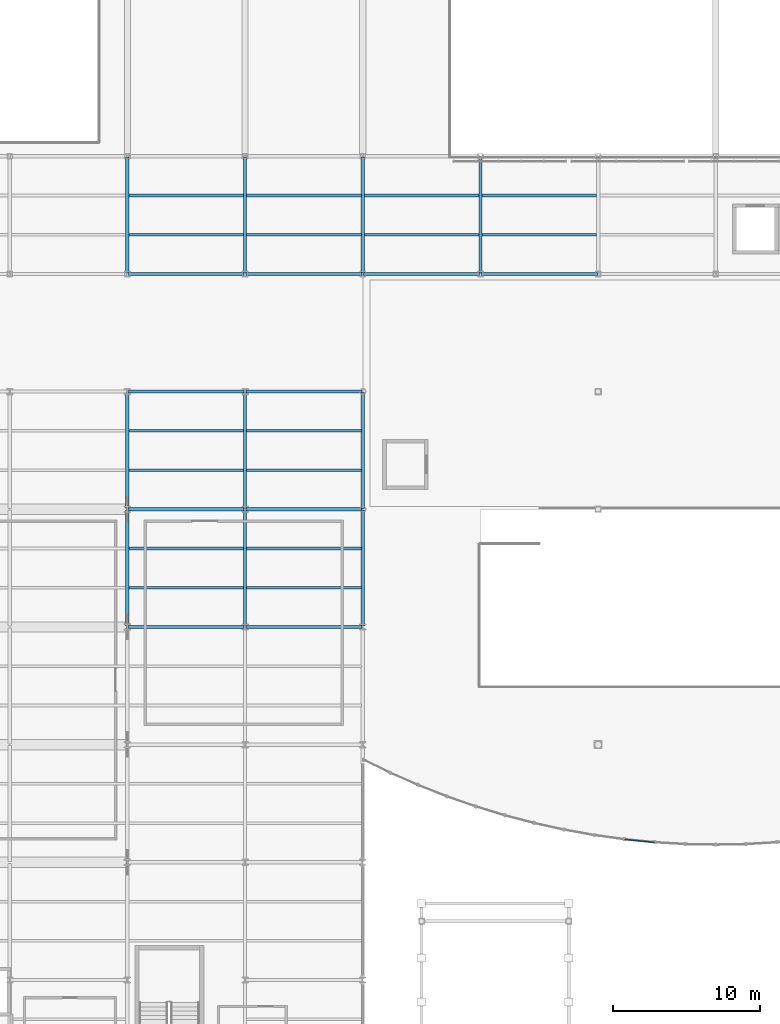
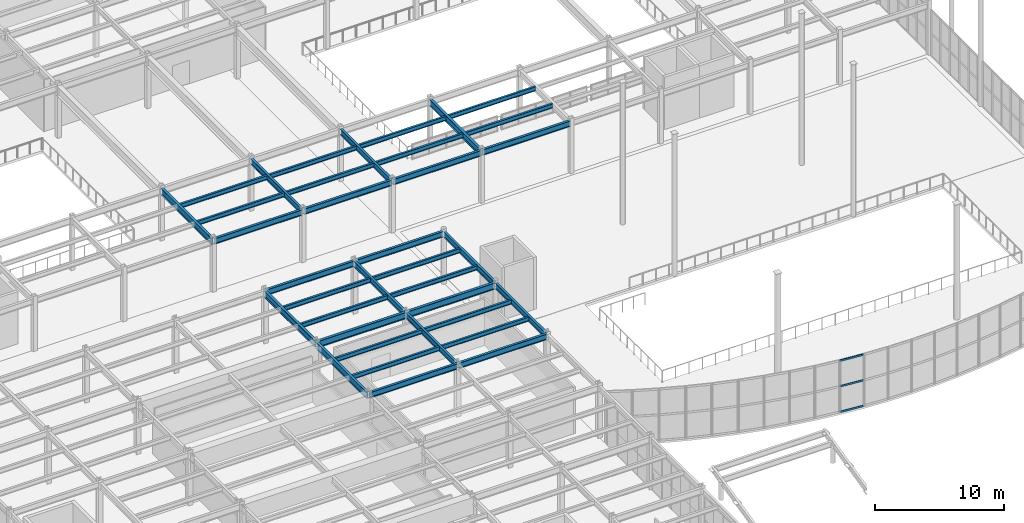
# One storey, part 26 of 77: 36 beams, 3 members, 1 element without a shape of its own.
"""IFC4 building model written with IfcOpenShell, lengths in metres."""

from ifc_helpers import new_model, si_unit, direction, frame, origin, origin_2d, place, context, subcontext, project, spatial, rectangle, i_section, extrude, material, material_profile, profile_set, type_object, element, aggregate, save


model = new_model("IFC4")

# Units and contexts
model_context = context("Model", 3, precision=1e-05, world=origin(), true_north=direction((0.0, 1.0)))
body_context = subcontext(model_context, "Body", "Model", "MODEL_VIEW")
ifc_project = project(units=[si_unit("LENGTHUNIT", "METRE"), si_unit("AREAUNIT", "SQUARE_METRE"), si_unit("VOLUMEUNIT", "CUBIC_METRE"), si_unit("PLANEANGLEUNIT", "RADIAN"), si_unit("MASSUNIT", "GRAM", prefix="KILO")], contexts=[model_context])

# Site, building, storey
site_placement = place(None, origin())
site = spatial("IfcSite", under=ifc_project, at=site_placement, CompositionType="ELEMENT")
building_placement = place(site_placement, origin())
building = spatial("IfcBuilding", under=site, at=building_placement, Name="Drelvath Fold Interchange", CompositionType="ELEMENT")
storey_placement = place(building_placement, frame((0.0, 0.0, 6.0)))
storey = spatial("IfcBuildingStorey", under=building, at=storey_placement, Name="L01", CompositionType="ELEMENT", Elevation=6.0)

# Beams
ifc_material_1 = material(Name="Steel ASTM A992 Grade 50", Category="steel")
ifc_material_profile_1 = material_profile(ifc_material_1, i_section(OverallWidth=0.177978515625, OverallDepth=0.403076171875, WebThickness=0.007568359375, FlangeThickness=0.010986328125, at=origin_2d()), Name="W16X36")
ifc_profile_set_1 = profile_set([ifc_material_profile_1], Name="Steel ASTM A992 Grade 50")
beam_type_1 = type_object("IfcBeamType", Name="BM-W16X36", PredefinedType="JOIST", material=ifc_profile_set_1)
for number, where, z_axis, x_axis, name in (
    (1, (36.113037109375, 37.6669921875, 4.748046875), (1.0, 0.0, 0.0), (0.0, 1.0, 0.0), "L01 Secondary floor joist BM-W16X36"),
    (2, (36.113037109375, 40.3330078125, 4.748046875), (1.0, 0.0, 0.0), (0.0, 1.0, 0.0), "L01 Secondary floor joist BM-W16X36"),
    (3, (36.113037109375, 45.6669921875, 4.748046875), (1.0, 0.0, 0.0), (0.0, 1.0, 0.0), "L01 Secondary floor joist BM-W16X36"),
    (4, (36.113037109375, 48.3330078125, 4.748046875), (1.0, 0.0, 0.0), (0.0, 1.0, 0.0), "L01 Secondary floor joist BM-W16X36"),
    (5, (36.113037109375, 61.6669921875, 4.748046875), (1.0, 0.0, 0.0), (0.0, 1.0, 0.0), "L01 Secondary floor joist BM-W16X36"),
    (6, (36.113037109375, 64.3330078125, 4.748046875), (1.0, 0.0, 0.0), (0.0, 1.0, 0.0), "L01 Secondary floor joist BM-W16X36"),
):
    element("IfcBeam", number, at=place(storey_placement, frame(where, z_axis=z_axis, x_axis=x_axis)), inside=storey, type_object=beam_type_1, Name=name, PredefinedType="JOIST", context=body_context, shape_type="SweptSolid", body=[
        extrude(i_section(OverallWidth=0.177978515625, OverallDepth=0.403076171875, WebThickness=0.007568359375, FlangeThickness=0.010986328125, at=origin_2d()), origin(), (0.0, 0.0, 1.0), 7.783935546875),
    ])
for number, where, z_axis, x_axis, name in (
    (7, (44.10302734375, 37.6669921875, 4.748046875), (1.0, 0.0, 0.0), (0.0, 1.0, 0.0), "L01 Secondary floor joist BM-W16X36"),
    (8, (44.10302734375, 40.3330078125, 4.748046875), (1.0, 0.0, 0.0), (0.0, 1.0, 0.0), "L01 Secondary floor joist BM-W16X36"),
    (9, (44.10302734375, 45.6669921875, 4.748046875), (1.0, 0.0, 0.0), (0.0, 1.0, 0.0), "L01 Secondary floor joist BM-W16X36"),
    (10, (44.10302734375, 48.3330078125, 4.748046875), (1.0, 0.0, 0.0), (0.0, 1.0, 0.0), "L01 Secondary floor joist BM-W16X36"),
    (11, (44.10302734375, 61.6669921875, 4.748046875), (1.0, 0.0, 0.0), (0.0, 1.0, 0.0), "L01 Secondary floor joist BM-W16X36"),
    (12, (44.10302734375, 64.3330078125, 4.748046875), (1.0, 0.0, 0.0), (0.0, 1.0, 0.0), "L01 Secondary floor joist BM-W16X36"),
):
    element("IfcBeam", number, at=place(storey_placement, frame(where, z_axis=z_axis, x_axis=x_axis)), inside=storey, type_object=beam_type_1, Name=name, PredefinedType="JOIST", context=body_context, shape_type="SweptSolid", body=[
        extrude(i_section(OverallWidth=0.177978515625, OverallDepth=0.403076171875, WebThickness=0.007568359375, FlangeThickness=0.010986328125, at=origin_2d()), origin(), (0.0, 0.0, 1.0), 7.7939453125),
    ])
for number, where, z_axis, x_axis, name in (
    (13, (52.10302734375, 61.6669921875, 4.748046875), (1.0, 0.0, 0.0), (0.0, 1.0, 0.0), "L01 Secondary floor joist BM-W16X36"),
    (14, (52.10302734375, 64.3330078125, 4.748046875), (1.0, 0.0, 0.0), (0.0, 1.0, 0.0), "L01 Secondary floor joist BM-W16X36"),
):
    element("IfcBeam", number, at=place(storey_placement, frame(where, z_axis=z_axis, x_axis=x_axis)), inside=storey, type_object=beam_type_1, Name=name, PredefinedType="JOIST", context=body_context, shape_type="SweptSolid", body=[
        extrude(i_section(OverallWidth=0.177978515625, OverallDepth=0.403076171875, WebThickness=0.007568359375, FlangeThickness=0.010986328125, at=origin_2d()), origin(), (0.0, 0.0, 1.0), 7.783935546875),
    ])
for number, where, z_axis, x_axis, name in (
    (15, (60.113037109375, 61.6669921875, 4.748046875), (1.0, 0.0, 0.0), (0.0, 1.0, 0.0), "L01 Secondary floor joist BM-W16X36"),
    (16, (60.113037109375, 64.3330078125, 4.748046875), (1.0, 0.0, 0.0), (0.0, 1.0, 0.0), "L01 Secondary floor joist BM-W16X36"),
):
    element("IfcBeam", number, at=place(storey_placement, frame(where, z_axis=z_axis, x_axis=x_axis)), inside=storey, type_object=beam_type_1, Name=name, PredefinedType="JOIST", context=body_context, shape_type="SweptSolid", body=[
        extrude(i_section(OverallWidth=0.177978515625, OverallDepth=0.403076171875, WebThickness=0.007568359375, FlangeThickness=0.010986328125, at=origin_2d()), origin(), (0.0, 0.0, 1.0), 7.77392578125),
    ])
ifc_material_profile_2 = material_profile(ifc_material_1, i_section(OverallWidth=0.2099609375, OverallDepth=0.537109375, WebThickness=0.010986328125, FlangeThickness=0.017333984375, at=origin_2d()), Name="W21X68")
ifc_profile_set_2 = profile_set([ifc_material_profile_2], Name="Steel ASTM A992 Grade 50")
beam_type_2 = type_object("IfcBeamType", Name="BM-W21X68", PredefinedType="SPANDREL", material=ifc_profile_set_2)
for number, where, z_axis, x_axis, name in (
    (17, (36.06005859375, 35.0, 4.680908203125), (1.0, 0.0, 0.0), (0.0, 1.0, 0.0), "L01 Primary X girder BM-W21X68"),
    (18, (44.06005859375, 35.0, 4.680908203125), (1.0, 0.0, 0.0), (0.0, 1.0, 0.0), "L01 Primary X girder BM-W21X68"),
    (19, (36.06005859375, 51.0, 4.680908203125), (1.0, 0.0, 0.0), (0.0, 1.0, 0.0), "L01 Primary X girder BM-W21X68"),
    (20, (44.06005859375, 51.0, 4.680908203125), (1.0, 0.0, 0.0), (0.0, 1.0, 0.0), "L01 Primary X girder BM-W21X68"),
    (21, (36.06005859375, 59.0, 4.680908203125), (1.0, 0.0, 0.0), (0.0, 1.0, 0.0), "L01 Primary X girder BM-W21X68"),
    (22, (44.06005859375, 59.0, 4.680908203125), (1.0, 0.0, 0.0), (0.0, 1.0, 0.0), "L01 Primary X girder BM-W21X68"),
    (23, (52.06005859375, 59.0, 4.680908203125), (1.0, 0.0, 0.0), (0.0, 1.0, 0.0), "L01 Primary X girder BM-W21X68"),
    (24, (60.06005859375, 59.0, 4.680908203125), (1.0, 0.0, 0.0), (0.0, 1.0, 0.0), "L01 Primary X girder BM-W21X68"),
    (25, (44.0, 35.06005859375, 4.680908203125), (0.0, 1.0, 0.0), (-1.0, 0.0, 0.0), "L01 Primary Y girder BM-W21X68"),
    (26, (44.0, 43.06005859375, 4.680908203125), (0.0, 1.0, 0.0), (-1.0, 0.0, 0.0), "L01 Primary Y girder BM-W21X68"),
    (27, (44.0, 59.06005859375, 4.680908203125), (0.0, 1.0, 0.0), (-1.0, 0.0, 0.0), "L01 Primary Y girder BM-W21X68"),
    (28, (52.0, 35.06005859375, 4.680908203125), (0.0, 1.0, 0.0), (-1.0, 0.0, 0.0), "L01 Primary Y girder BM-W21X68"),
    (29, (52.0, 43.06005859375, 4.680908203125), (0.0, 1.0, 0.0), (-1.0, 0.0, 0.0), "L01 Primary Y girder BM-W21X68"),
    (30, (52.0, 59.06005859375, 4.680908203125), (0.0, 1.0, 0.0), (-1.0, 0.0, 0.0), "L01 Primary Y girder BM-W21X68"),
):
    element("IfcBeam", number, at=place(storey_placement, frame(where, z_axis=z_axis, x_axis=x_axis)), inside=storey, type_object=beam_type_2, Name=name, PredefinedType="SPANDREL", context=body_context, shape_type="SweptSolid", body=[
        extrude(i_section(OverallWidth=0.2099609375, OverallDepth=0.537109375, WebThickness=0.010986328125, FlangeThickness=0.017333984375, at=origin_2d()), origin(), (0.0, 0.0, 1.0), 7.8798828125),
    ])
ifc_material_profile_3 = material_profile(ifc_material_1, i_section(OverallWidth=0.22998046875, OverallDepth=0.616943359375, WebThickness=0.01318359375, FlangeThickness=0.022216796875, at=origin_2d()), Name="W24X94")
ifc_profile_set_3 = profile_set([ifc_material_profile_3], Name="Steel ASTM A992 Grade 50")
beam_type_3 = type_object("IfcBeamType", Name="BM-W24X94", PredefinedType="BEAM", material=ifc_profile_set_3)
for number, where, z_axis, x_axis, name in (
    (31, (36.06005859375, 43.0, 4.64111328125), (1.0, 0.0, 0.0), (0.0, 1.0, 0.0), "L01 Primary X girder BM-W24X94"),
    (32, (44.06005859375, 43.0, 4.64111328125), (1.0, 0.0, 0.0), (0.0, 1.0, 0.0), "L01 Primary X girder BM-W24X94"),
    (33, (36.0, 35.06005859375, 4.64111328125), (0.0, 1.0, 0.0), (-1.0, 0.0, 0.0), "L01 Primary Y girder BM-W24X94"),
    (34, (36.0, 43.06005859375, 4.64111328125), (0.0, 1.0, 0.0), (-1.0, 0.0, 0.0), "L01 Primary Y girder BM-W24X94"),
    (35, (36.0, 59.06005859375, 4.64111328125), (0.0, 1.0, 0.0), (-1.0, 0.0, 0.0), "L01 Primary Y girder BM-W24X94"),
    (36, (60.0, 59.06005859375, 4.64111328125), (0.0, 1.0, 0.0), (-1.0, 0.0, 0.0), "L01 Primary Y girder BM-W24X94"),
):
    element("IfcBeam", number, at=place(storey_placement, frame(where, z_axis=z_axis, x_axis=x_axis)), inside=storey, type_object=beam_type_3, Name=name, PredefinedType="BEAM", context=body_context, shape_type="SweptSolid", body=[
        extrude(i_section(OverallWidth=0.22998046875, OverallDepth=0.616943359375, WebThickness=0.01318359375, FlangeThickness=0.022216796875, at=origin_2d()), origin(), (0.0, 0.0, 1.0), 7.8798828125),
    ])

# Curtain wall, members
ifc_material_2 = material(Name="Anodized Aluminium 6063-T6", Category="aluminium")
curtain_wall_type = type_object("IfcCurtainWallType", Name="CW-ARC-L01", PredefinedType="USERDEFINED", material=ifc_material_2)
curtain_wall_placement = place(storey_placement, origin())
curtain_wall = element("IfcCurtainWall", 37, at=curtain_wall_placement, inside=storey, type_object=curtain_wall_type, Name="Curtain wall CW-WH-L01-09", ObjectType="UNITISED CURTAIN WALL", PredefinedType="USERDEFINED")
ifc_material_profile_4 = material_profile(ifc_material_2, rectangle(XDim=0.070068359375, YDim=0.169921875, at=origin_2d()), Name="AL-T 70x170")
ifc_profile_set_4 = profile_set([ifc_material_profile_4], Name="Anodized Aluminium 6063-T6")
member_type = type_object("IfcMemberType", Name="TR-170", PredefinedType="USERDEFINED", material=ifc_profile_set_4)
member_1_placement = place(storey_placement, frame((69.822998046875, 20.55810546875, 0.030029296875), z_axis=(0.995120367662, -0.098668403576, 0.0), x_axis=(0.098668403576, 0.995120367662, 0.0)))
member_1 = element("IfcMember", 38, at=member_1_placement, type_object=member_type, Name="CW-WH-L01-09 transom 0", ObjectType="TRANSOM", PredefinedType="USERDEFINED", context=body_context, shape_type="SweptSolid", body=[
    extrude(rectangle(XDim=0.070068359375, YDim=0.169921875, at=origin_2d()), origin(), (0.0, 0.0, 1.0), 1.996826171875),
])
member_2_placement = place(storey_placement, frame((69.822998046875, 20.55810546875, 2.449951171875), z_axis=(0.995120367662, -0.098668403576, 0.0), x_axis=(0.098668403576, 0.995120367662, 0.0)))
member_2 = element("IfcMember", 39, at=member_2_placement, type_object=member_type, Name="CW-WH-L01-09 transom 1", ObjectType="TRANSOM", PredefinedType="USERDEFINED", context=body_context, shape_type="SweptSolid", body=[
    extrude(rectangle(XDim=0.070068359375, YDim=0.169921875, at=origin_2d()), origin(), (0.0, 0.0, 1.0), 1.996826171875),
])
member_3_placement = place(storey_placement, frame((69.822998046875, 20.55810546875, 4.8701171875), z_axis=(0.995120367662, -0.098668403576, 0.0), x_axis=(0.098668403576, 0.995120367662, 0.0)))
member_3 = element("IfcMember", 40, at=member_3_placement, type_object=member_type, Name="CW-WH-L01-09 transom 2", ObjectType="TRANSOM", PredefinedType="USERDEFINED", context=body_context, shape_type="SweptSolid", body=[
    extrude(rectangle(XDim=0.070068359375, YDim=0.169921875, at=origin_2d()), origin(), (0.0, 0.0, 1.0), 1.996826171875),
])
aggregate(curtain_wall, [member_1, member_2, member_3])

save(model, "model.ifc")
